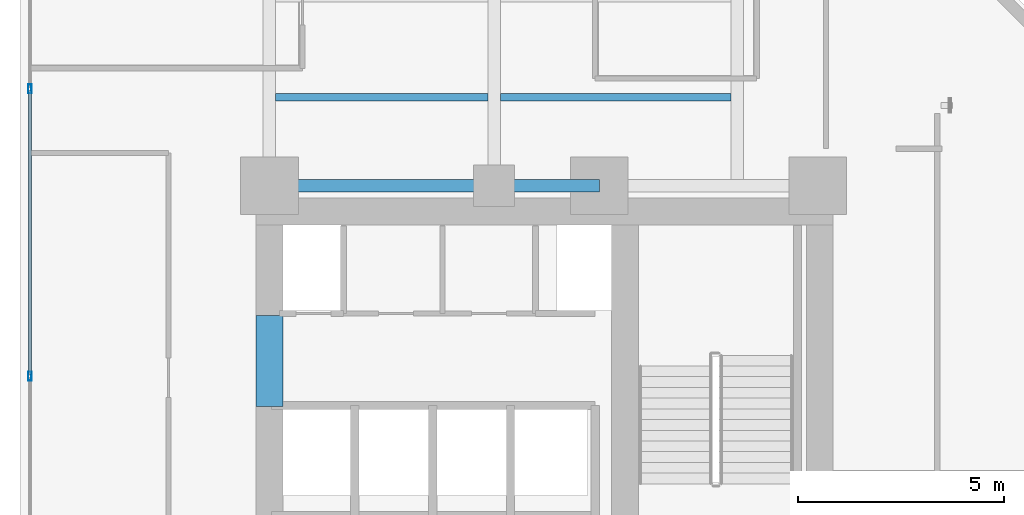
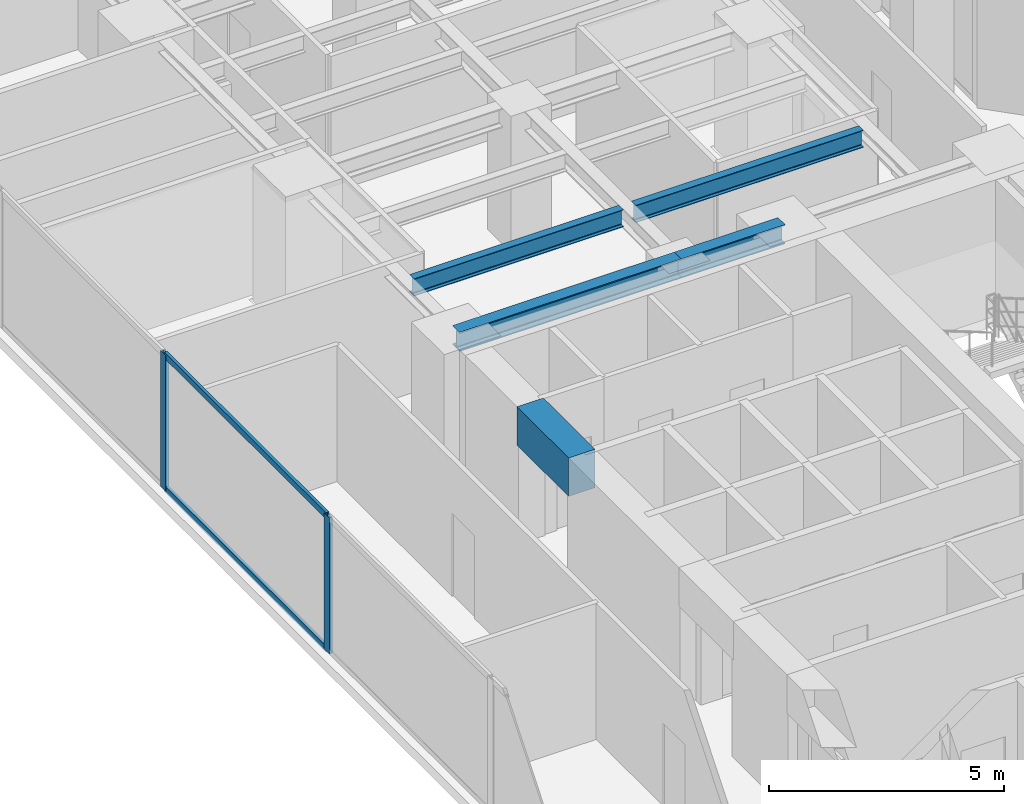
# One storey, part 6 of 28: 5 beams, 4 members, 1 element without a shape of its own.
"""IFC4 building model written with IfcOpenShell, lengths in metres."""

from ifc_helpers import new_model, si_unit, direction, frame, origin, origin_with_axes, origin_2d, place, context, subcontext, project, spatial, rectangle, hollow_rectangle, i_section, extrude, source, transform, mapped, material, layer, layer_set, material_profile, profile_set, type_object, element, aggregate, save


model = new_model("IFC4")

# Units and contexts
model_context = context("Model", 3, precision=1e-05, world=origin(), true_north=direction((0.0, 1.0)))
body_context = subcontext(model_context, "Body", "Model", "MODEL_VIEW")
ifc_project = project(units=[si_unit("LENGTHUNIT", "METRE"), si_unit("AREAUNIT", "SQUARE_METRE"), si_unit("VOLUMEUNIT", "CUBIC_METRE"), si_unit("PLANEANGLEUNIT", "RADIAN"), si_unit("MASSUNIT", "GRAM", prefix="KILO")], contexts=[model_context])

# Site, building, storey
site_placement = place(None, origin())
site = spatial("IfcSite", under=ifc_project, at=site_placement, CompositionType="ELEMENT")
building_placement = place(site_placement, origin())
building = spatial("IfcBuilding", under=site, at=building_placement, Name="Kolvaren Waterfront Exchange", CompositionType="ELEMENT")
storey_placement = place(building_placement, frame((0.0, 0.0, 133.5)))
storey = spatial("IfcBuildingStorey", under=building, at=storey_placement, Name="L34", CompositionType="ELEMENT", Elevation=133.5)

# Beams
ifc_material_1 = material(Name="Steel S355", Category="steel")
ifc_material_profile_1 = material_profile(ifc_material_1, i_section(OverallWidth=0.300048828125, OverallDepth=0.5, WebThickness=0.014404296875, FlangeThickness=0.028076171875, FilletRadius=0.027099609375, at=origin_2d()), Name="HEB500")
ifc_profile_set_1 = profile_set([ifc_material_profile_1], Name="Steel S355")
beam_type_1 = type_object("IfcBeamType", Name="STR-BM-HEB500", PredefinedType="BEAM", material=ifc_profile_set_1)
beam_1_placement = place(storey_placement, frame((7.449951171875, 24.449951171875, 3.2900390625), z_axis=(1.0, 0.0, 0.0), x_axis=(0.0, 1.0, 0.0)))
element("IfcBeam", 1, at=beam_1_placement, inside=storey, type_object=beam_type_1, Name="L34 north-arm girder 1A", PredefinedType="BEAM", context=body_context, shape_type="SweptSolid", body=[
    extrude(i_section(OverallWidth=0.300048828125, OverallDepth=0.5, WebThickness=0.014404296875, FlangeThickness=0.028076171875, FilletRadius=0.027099609375, at=origin_2d()), origin(), (0.0, 0.0, 1.0), 5.449951171875),
])
beam_2_placement = place(storey_placement, frame((12.89990234375, 24.449951171875, 3.2900390625), z_axis=(1.0, 0.0, 0.0), x_axis=(0.0, 1.0, 0.0)))
element("IfcBeam", 2, at=beam_2_placement, inside=storey, type_object=beam_type_1, Name="L34 north-arm girder 1B", PredefinedType="BEAM", context=body_context, shape_type="SweptSolid", body=[
    extrude(i_section(OverallWidth=0.300048828125, OverallDepth=0.5, WebThickness=0.014404296875, FlangeThickness=0.028076171875, FilletRadius=0.027099609375, at=origin_2d()), origin(), (0.0, 0.0, 1.0), 2.550048828125),
])
ifc_material_profile_2 = material_profile(ifc_material_1, i_section(OverallWidth=0.18994140625, OverallDepth=0.449951171875, WebThickness=0.009521484375, FlangeThickness=0.0146484375, FilletRadius=0.02099609375, at=origin_2d()), Name="IPE450")
ifc_profile_set_2 = profile_set([ifc_material_profile_2], Name="Steel S355")
beam_type_2 = type_object("IfcBeamType", Name="STR-BM-IPE450", PredefinedType="JOIST", material=ifc_profile_set_2)
beam_3_placement = place(storey_placement, frame((7.60205078125, 26.60009765625, 3.31494140625), z_axis=(1.0, 0.0, 0.0), x_axis=(0.0, 1.0, 0.0)))
element("IfcBeam", 3, at=beam_3_placement, inside=storey, type_object=beam_type_2, Name="L34 north-arm composite joist 1A", PredefinedType="JOIST", context=body_context, shape_type="SweptSolid", body=[
    extrude(i_section(OverallWidth=0.18994140625, OverallDepth=0.449951171875, WebThickness=0.009521484375, FlangeThickness=0.0146484375, FilletRadius=0.02099609375, at=origin_2d()), origin(), (0.0, 0.0, 1.0), 5.14599609375),
])
beam_4_placement = place(storey_placement, frame((13.052001953125, 26.60009765625, 3.31494140625), z_axis=(1.0, 0.0, 0.0), x_axis=(0.0, 1.0, 0.0)))
element("IfcBeam", 4, at=beam_4_placement, inside=storey, type_object=beam_type_2, Name="L34 north-arm composite joist 1B", PredefinedType="JOIST", context=body_context, shape_type="SweptSolid", body=[
    extrude(i_section(OverallWidth=0.18994140625, OverallDepth=0.449951171875, WebThickness=0.009521484375, FlangeThickness=0.0146484375, FilletRadius=0.02099609375, at=origin_2d()), origin(), (0.0, 0.0, 1.0), 5.595947265625),
])
ifc_material_2 = material(Name="Concrete C60/75", Category="concrete")
ifc_material_profile_3 = material_profile(ifc_material_2, rectangle(XDim=0.64990234375, YDim=1.0, at=origin_2d()), Name="RC-CB-1000x650")
ifc_profile_set_3 = profile_set([ifc_material_profile_3], Name="Concrete C60/75")
beam_type_3 = type_object("IfcBeamType", Name="STR-CB-1000", PredefinedType="SPANDREL", material=ifc_profile_set_3)
beam_5_placement = place(storey_placement, frame((7.449951171875, 19.10009765625, 3.0400390625), z_axis=(0.0, 1.0, 0.0), x_axis=(-1.0, 0.0, 0.0)))
element("IfcBeam", 5, at=beam_5_placement, inside=storey, type_object=beam_type_3, Name="L34 core coupling beam 5", PredefinedType="SPANDREL", context=body_context, shape_type="SweptSolid", body=[
    extrude(rectangle(XDim=0.64990234375, YDim=1.0, at=origin_2d()), origin(), (0.0, 0.0, 1.0), 2.199951171875),
])

# Curtain wall, members
ifc_material_3 = material(Name="Anodised aluminium 6063-T6", Category="aluminium")
ifc_layer = layer(ifc_material_3, 0.219970703125, Name="Anodised aluminium 6063-T6")
ifc_layer_set = layer_set([ifc_layer], Name="Anodised aluminium 6063-T6")
curtain_wall_type = type_object("IfcCurtainWallType", Name="ARC-CW-SYS2", PredefinedType="USERDEFINED", material=ifc_layer_set)
curtain_wall_placement = place(storey_placement, origin())
curtain_wall = element("IfcCurtainWall", 6, at=curtain_wall_placement, inside=storey, type_object=curtain_wall_type, Name="L34 stick curtain wall CW2 (CW-L34-W)", ObjectType="STICK CURTAIN WALL", PredefinedType="USERDEFINED")
ifc_material_profile_4 = material_profile(ifc_material_3, hollow_rectangle(XDim=0.080078125, YDim=0.219970703125, WallThickness=0.0048828125, at=origin_2d()), Name="ALU-MUL-220x80x5")
ifc_profile_set_4 = profile_set([ifc_material_profile_4], Name="Anodised aluminium 6063-T6")
member_type_1 = type_object("IfcMemberType", Name="ARC-CWM-220", PredefinedType="MULLION", material=ifc_profile_set_4)
shared_shape_1 = source(origin_with_axes(), body_context, "Body", "SweptSolid", [
    extrude(hollow_rectangle(XDim=0.080078125, YDim=0.219970703125, WallThickness=0.0048828125, at=origin_2d()), origin(), (0.0, 0.0, 1.0), 3.5400390625),
])
member_1_placement = place(storey_placement, frame((1.639892578125, 19.833251953125, 0.0), z_axis=(0.0, 0.0, 1.0), x_axis=(-1.0, 0.0, 0.0)))
member_1 = element("IfcMember", 7, at=member_1_placement, type_object=member_type_1, Name="CW2 mullion 3", PredefinedType="MULLION", context=body_context, shape_type="MappedRepresentation", body=[
    mapped(shared_shape_1, transform((0.0, 0.0, 0.0), x_axis=(1.0, 0.0, 0.0), y_axis=(0.0, 1.0, 0.0), z_axis=(0.0, 0.0, 1.0), scale=1.0)),
])
member_2_placement = place(storey_placement, frame((1.639892578125, 26.800048828125, 0.0), z_axis=(0.0, 0.0, 1.0), x_axis=(-1.0, 0.0, 0.0)))
member_2 = element("IfcMember", 8, at=member_2_placement, type_object=member_type_1, Name="CW2 mullion 4", PredefinedType="MULLION", context=body_context, shape_type="MappedRepresentation", body=[
    mapped(shared_shape_1, transform((0.0, 0.0, 0.0), x_axis=(1.0, 0.0, 0.0), y_axis=(0.0, 1.0, 0.0), z_axis=(0.0, 0.0, 1.0), scale=1.0)),
])
ifc_material_profile_5 = material_profile(ifc_material_3, hollow_rectangle(XDim=0.074951171875, YDim=0.159912109375, WallThickness=0.00439453125, at=origin_2d()), Name="ALU-TRN-160x75x4.5")
ifc_profile_set_5 = profile_set([ifc_material_profile_5], Name="Anodised aluminium 6063-T6")
member_type_2 = type_object("IfcMemberType", Name="ARC-CWT-160", PredefinedType="USERDEFINED", material=ifc_profile_set_5)
shared_shape_2 = source(origin_with_axes(), body_context, "Body", "SweptSolid", [
    extrude(hollow_rectangle(XDim=0.074951171875, YDim=0.159912109375, WallThickness=0.00439453125, at=origin_2d()), origin(), (0.0, 0.0, 1.0), 6.88671875),
])
member_3_placement = place(storey_placement, frame((1.639892578125, 19.873291015625, 0.03759765625), z_axis=(0.0, 1.0, 0.0), x_axis=(-1.0, 0.0, 0.0)))
member_3 = element("IfcMember", 9, at=member_3_placement, type_object=member_type_2, Name="CW2 transom 3.1", ObjectType="TRANSOM", PredefinedType="USERDEFINED", context=body_context, shape_type="MappedRepresentation", body=[
    mapped(shared_shape_2, transform((0.0, 0.0, 0.0), x_axis=(1.0, 0.0, 0.0), y_axis=(0.0, 1.0, 0.0), z_axis=(0.0, 0.0, 1.0), scale=1.0)),
])
member_4_placement = place(storey_placement, frame((1.639892578125, 19.873291015625, 3.50244140625), z_axis=(0.0, 1.0, 0.0), x_axis=(-1.0, 0.0, 0.0)))
member_4 = element("IfcMember", 10, at=member_4_placement, type_object=member_type_2, Name="CW2 transom 3.2", ObjectType="TRANSOM", PredefinedType="USERDEFINED", context=body_context, shape_type="MappedRepresentation", body=[
    mapped(shared_shape_2, transform((0.0, 0.0, 0.0), x_axis=(1.0, 0.0, 0.0), y_axis=(0.0, 1.0, 0.0), z_axis=(0.0, 0.0, 1.0), scale=1.0)),
])
aggregate(curtain_wall, [member_1, member_2, member_3, member_4])

save(model, "model.ifc")
